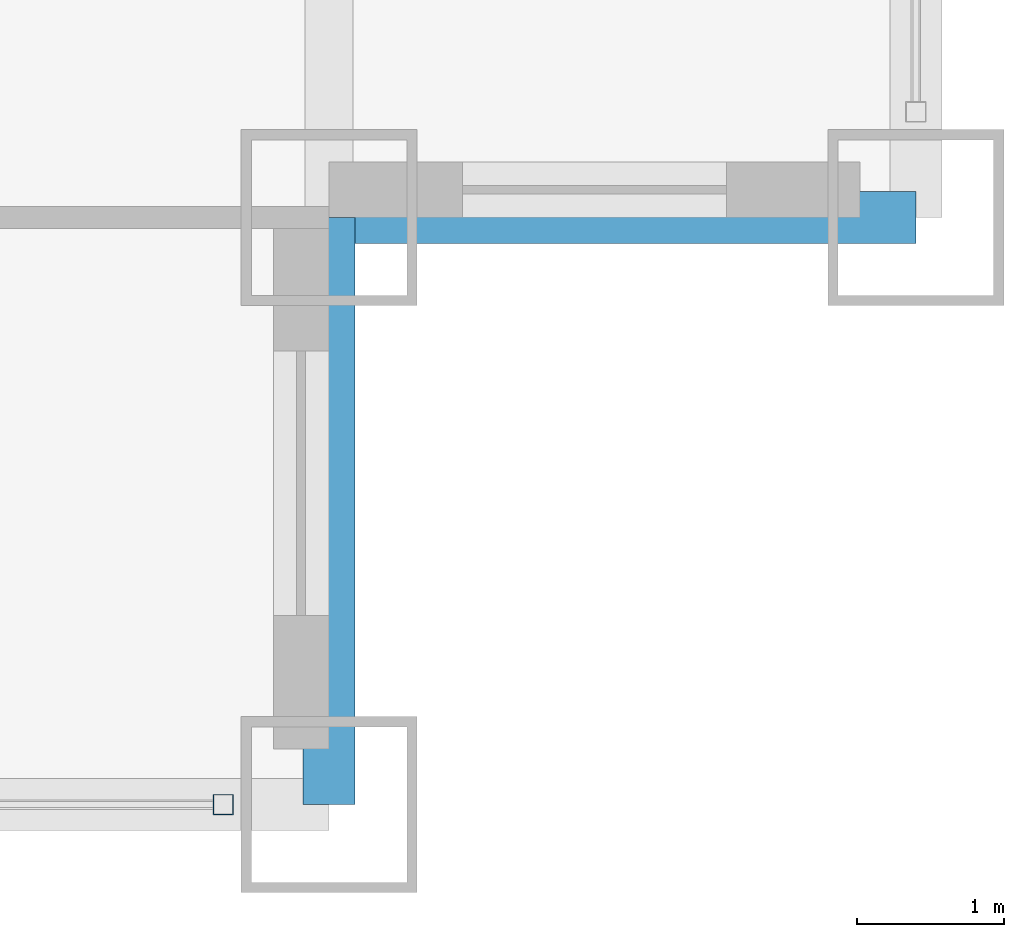
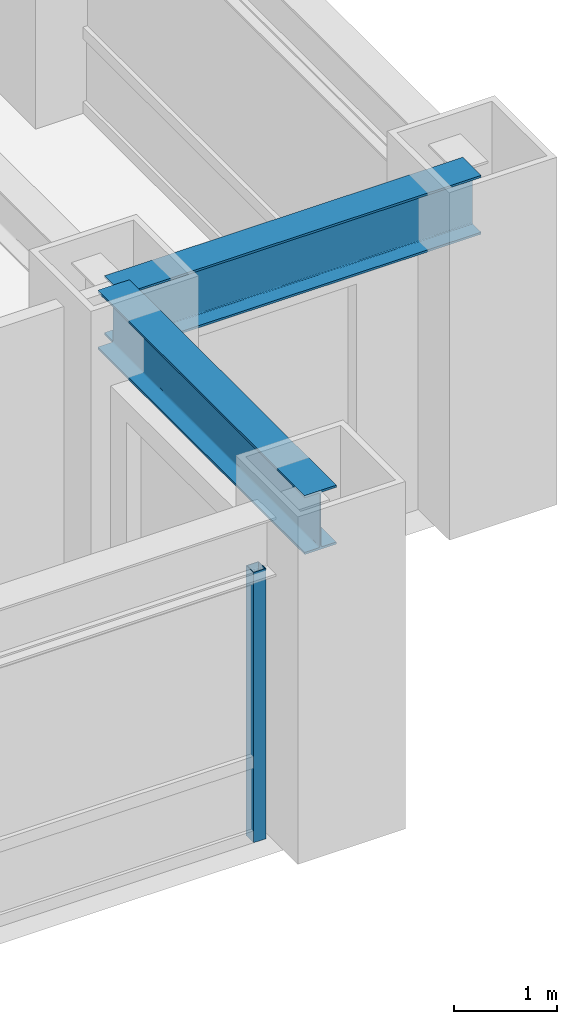
# One storey, part 6 of 28: 2 beams, 1 member, 1 element without a shape of its own.
"""IFC4 building model written with IfcOpenShell, lengths in metres."""

import ifcopenshell
import ifcopenshell.guid

model = None  # the IFC model being written
_history = None  # IfcOwnerHistory: only IFC2X3 demands one
_inside = {}  # id of a spatial element -> (the spatial element, [elements in it])
_under = {}  # id of a project, library or spatial element -> (it, [spatial elements below it])
_declared = {}  # id of a project -> (the project, [libraries it declares])
_typed = {}  # id of a type object -> (the type object, [elements of that type])
_made_of = {}  # id of a material, layer set ... -> (it, [elements and type objects made of it])


def new_model(schema):
    """Start an empty IFC model of exactly this schema.

    Asked for "IFC4X3", IfcOpenShell would pick the latest addendum, in which some entities
    have other attributes; the version numbers below select the first issue.
    IFC2X3 requires an IfcOwnerHistory on every rooted entity: one is made here for all.
    """
    global model, _history
    if schema == "IFC4X3":
        model = ifcopenshell.file(schema_version=(4, 3, 0, 0))
    else:
        model = ifcopenshell.file(schema=schema)
    _inside.clear()
    _under.clear()
    _declared.clear()
    _typed.clear()
    _made_of.clear()
    _history = None
    if model.schema == "IFC2X3":
        org = make("IfcOrganization", Name="unknown")
        user = make(
            "IfcPersonAndOrganization",
            ThePerson=make("IfcPerson", FamilyName="unknown"),
            TheOrganization=org,
        )
        app = make(
            "IfcApplication",
            ApplicationDeveloper=org,
            Version="unknown",
            ApplicationFullName="unknown",
            ApplicationIdentifier="unknown",
        )
        _history = make(
            "IfcOwnerHistory",
            OwningUser=user,
            OwningApplication=app,
            ChangeAction="ADDED",
            CreationDate=0,
        )
    return model


def make(cls, **values):
    """One entity of the class cls with the attributes given. An attribute that is None is left unset."""
    return model.create_entity(
        cls, **{name: value for name, value in values.items() if value is not None}
    )


def rooted(cls, **values):
    """An entity with a GlobalId (a new one), such as an element, a storey or a relation."""
    return make(cls, GlobalId=ifcopenshell.guid.new(), OwnerHistory=_history, **values)


def si_unit(unit_type, name, prefix=None):
    """IfcSIUnit, for example si_unit("LENGTHUNIT", "METRE", prefix="MILLI")."""
    return make("IfcSIUnit", UnitType=unit_type, Prefix=prefix, Name=name)


def assignment(units):
    """IfcUnitAssignment: the units of a project."""
    return None if units is None else make("IfcUnitAssignment", Units=units)


def point(xyz):
    """IfcCartesianPoint."""
    return None if xyz is None else make("IfcCartesianPoint", Coordinates=xyz)


def direction(xyz):
    """IfcDirection."""
    return None if xyz is None else make("IfcDirection", DirectionRatios=xyz)


def frame(location, z_axis=None, x_axis=None):
    """IfcAxis2Placement3D, a coordinate frame: its origin and axes. An axis left out is left unset."""
    return make(
        "IfcAxis2Placement3D",
        Location=point(location),
        Axis=direction(z_axis),
        RefDirection=direction(x_axis),
    )


def frame_2d(location, x_axis=None):
    """IfcAxis2Placement2D, a coordinate frame in the plane: its origin and x axis."""
    return make(
        "IfcAxis2Placement2D", Location=point(location), RefDirection=direction(x_axis)
    )


def origin():
    """The frame at (0, 0, 0) with its axes left unset."""
    return frame((0.0, 0.0, 0.0))


def origin_2d():
    """The frame at (0, 0) in the plane with its x axis left unset."""
    return frame_2d((0.0, 0.0))


def place(relative_to, where):
    """IfcLocalPlacement: puts the frame where relative to a parent placement (None: the world)."""
    return make(
        "IfcLocalPlacement", PlacementRelTo=relative_to, RelativePlacement=where
    )


def context(
    kind, dimensions, precision=None, world=None, true_north=None, identifier=None
):
    """IfcGeometricRepresentationContext, for example the 3D "Model" context."""
    return make(
        "IfcGeometricRepresentationContext",
        ContextIdentifier=identifier,
        ContextType=kind,
        CoordinateSpaceDimension=dimensions,
        Precision=precision,
        WorldCoordinateSystem=world,
        TrueNorth=true_north,
    )


def subcontext(parent, identifier, kind, view, scale=None):
    """IfcGeometricRepresentationSubContext, for example "Body" below "Model"."""
    return make(
        "IfcGeometricRepresentationSubContext",
        ContextIdentifier=identifier,
        ContextType=kind,
        ParentContext=parent,
        TargetScale=scale,
        TargetView=view,
    )


def project(units=None, contexts=None):
    """IfcProject with its units and contexts."""
    return rooted(
        "IfcProject",
        Name="project",
        RepresentationContexts=contexts,
        UnitsInContext=assignment(units),
    )


def spatial(cls, under=None, at=None, **own):
    """A site, building, storey or space (cls), placed at a placement, below another one or the project."""
    s = rooted(cls, ObjectPlacement=at, **own)
    if under is not None:
        _under.setdefault(under.id(), (under, []))[1].append(s)
    return s


def profile(cls, at=None, kind="AREA", **sizes):
    """A parametric profile (cls). Its sizes go by their IFC names, for example OverallWidth=200.0."""
    return make(cls, ProfileType=kind, Position=at, **sizes)


def hollow_rectangle(**sizes):
    """IfcRectangleHollowProfileDef."""
    return profile("IfcRectangleHollowProfileDef", **sizes)


def i_section(**sizes):
    """IfcIShapeProfileDef."""
    return profile("IfcIShapeProfileDef", **sizes)


def extrude(swept, where, along, depth):
    """IfcExtrudedAreaSolid: the profile swept, set in the frame where, extruded along a direction by depth."""
    return make(
        "IfcExtrudedAreaSolid",
        SweptArea=swept,
        Position=where,
        ExtrudedDirection=direction(along),
        Depth=depth,
    )


def shape(context_of_items, identifier, shape_type, items):
    """IfcShapeRepresentation: the items that make up one representation, for example the "Body"."""
    return make(
        "IfcShapeRepresentation",
        ContextOfItems=context_of_items,
        RepresentationIdentifier=identifier,
        RepresentationType=shape_type,
        Items=items,
    )


def source(mapping_origin, context_of_items, identifier, shape_type, items):
    """IfcRepresentationMap: a shape defined once, which mapped items show again and again."""
    return make(
        "IfcRepresentationMap",
        MappingOrigin=mapping_origin,
        MappedRepresentation=shape(context_of_items, identifier, shape_type, items),
    )


def transform(
    local_origin,
    x_axis=None,
    y_axis=None,
    z_axis=None,
    scale=None,
    scale2=None,
    scale3=None,
    uniform=True,
):
    """IfcCartesianTransformationOperator3D, or its non-uniform kind. x_axis, y_axis, z_axis: its Axis1, 2, 3."""
    if uniform:
        return make(
            "IfcCartesianTransformationOperator3D",
            Axis1=direction(x_axis),
            Axis2=direction(y_axis),
            LocalOrigin=point(local_origin),
            Scale=scale,
            Axis3=direction(z_axis),
        )
    return make(
        "IfcCartesianTransformationOperator3DnonUniform",
        Axis1=direction(x_axis),
        Axis2=direction(y_axis),
        LocalOrigin=point(local_origin),
        Scale=scale,
        Axis3=direction(z_axis),
        Scale2=scale2,
        Scale3=scale3,
    )


def mapped(mapping_source, mapping_target):
    """IfcMappedItem: shows the shape of a source again, moved by a transform."""
    return make(
        "IfcMappedItem", MappingSource=mapping_source, MappingTarget=mapping_target
    )


def material(Name=None, Category=None):
    """IfcMaterial."""
    return make("IfcMaterial", Name=Name, Category=Category)


def material_profile(
    of_material, cross_section, Name=None, Category=None, Priority=None
):
    """IfcMaterialProfile: a cross section and its material."""
    return make(
        "IfcMaterialProfile",
        Name=Name,
        Material=of_material,
        Profile=cross_section,
        Priority=Priority,
        Category=Category,
    )


def profile_set(profiles, Name=None, composite=None):
    """IfcMaterialProfileSet."""
    return make(
        "IfcMaterialProfileSet",
        Name=Name,
        MaterialProfiles=profiles,
        CompositeProfile=composite,
    )


def made_of(thing, what):
    """Note that an element or type object is made of a material, layer set ...; save() writes the relation."""
    if what is not None:
        _made_of.setdefault(what.id(), (what, []))[1].append(thing)
    return thing


def type_object(cls, material=None, **own):
    """A type object (cls), such as IfcWallType, which elements share."""
    return made_of(rooted(cls, **own), material)


def element(
    cls,
    number,
    at=None,
    inside=None,
    cuts=None,
    type_object=None,
    material=None,
    context=None,
    identifier="Body",
    shape_type=None,
    held_by="IfcProductDefinitionShape",
    body=None,
    shapes=None,
    **own,
):
    """One element of the class cls, such as IfcWall. Its Tag is "e" and its number.

    at: its placement. inside: the storey or other place that contains it. cuts: it is an
    opening in that element (IfcRelVoidsElement). A single representation is given by context,
    identifier, shape_type and body (its items); several are given by shapes. held_by: the class
    of the entity that holds the representations. save() writes the other relations.
    """
    e = rooted(cls, Tag="e%d" % number, ObjectPlacement=at, **own)
    if body is not None:
        shapes = [shape(context, identifier, shape_type, body)]
    if shapes is not None:
        e.Representation = make(held_by, Representations=shapes)
    if inside is not None:
        _inside.setdefault(inside.id(), (inside, []))[1].append(e)
    if cuts is not None:
        rooted(
            "IfcRelVoidsElement", RelatingBuildingElement=cuts, RelatedOpeningElement=e
        )
    if type_object is not None:
        _typed.setdefault(type_object.id(), (type_object, []))[1].append(e)
    return made_of(e, material)


def aggregate(whole, parts):
    """IfcRelAggregates: a whole, such as a stair, and the parts it consists of."""
    return rooted("IfcRelAggregates", RelatingObject=whole, RelatedObjects=parts)


def save(model, path):
    """Write the relations noted so far, then the file.

    IfcRelAggregates (storeys below a building ...), IfcRelContainedInSpatialStructure (elements
    in a storey), IfcRelDefinesByType, IfcRelAssociatesMaterial and IfcRelDeclares: one each for
    every whole, place, type object, material and project.
    """
    for whole, parts in _under.values():
        aggregate(whole, parts)
    for where, things in _inside.values():
        rooted(
            "IfcRelContainedInSpatialStructure",
            RelatedElements=things,
            RelatingStructure=where,
        )
    for kind, things in _typed.values():
        rooted("IfcRelDefinesByType", RelatedObjects=things, RelatingType=kind)
    for what, things in _made_of.values():
        rooted("IfcRelAssociatesMaterial", RelatedObjects=things, RelatingMaterial=what)
    for by, libraries in _declared.values():
        rooted("IfcRelDeclares", RelatingContext=by, RelatedDefinitions=libraries)
    model.write(path)


model = new_model("IFC4")

# Units and contexts
model_context = context("Model", 3, precision=1e-05, world=origin(), true_north=direction((0.0, 1.0)))
body_context = subcontext(model_context, "Body", "Model", "MODEL_VIEW")
ifc_project = project(units=[si_unit("LENGTHUNIT", "METRE"), si_unit("AREAUNIT", "SQUARE_METRE"), si_unit("VOLUMEUNIT", "CUBIC_METRE"), si_unit("PLANEANGLEUNIT", "RADIAN"), si_unit("MASSUNIT", "GRAM", prefix="KILO")], contexts=[model_context])

# Site, building, storey
site_placement = place(None, origin())
site = spatial("IfcSite", under=ifc_project, at=site_placement, CompositionType="ELEMENT")
building_placement = place(site_placement, origin())
building = spatial("IfcBuilding", under=site, at=building_placement, Name="Khorayat Bourse Tower", CompositionType="ELEMENT")
storey_placement = place(building_placement, frame((0.0, 0.0, 116.0)))
storey = spatial("IfcBuildingStorey", under=building, at=storey_placement, Name="L26", CompositionType="ELEMENT", Elevation=116.0)

# Beams
ifc_material_1 = material(Name="Steel ASTM A992 Grade 50", Category="steel")
ifc_material_profile_1 = material_profile(ifc_material_1, i_section(OverallWidth=0.35498046875, OverallDepth=0.695068359375, WebThickness=0.015380859375, FlangeThickness=0.02490234375, FilletRadius=0.01806640625, at=origin_2d()), Name="W690X217")
ifc_profile_set_1 = profile_set([ifc_material_profile_1], Name="Steel ASTM A992 Grade 50")
beam_type = type_object("IfcBeamType", Name="BM-SPAN-690", PredefinedType="SPANDREL", material=ifc_profile_set_1)
shared_shape_1 = source(origin(), body_context, "Body", "SweptSolid", [
    extrude(i_section(OverallWidth=0.35498046875, OverallDepth=0.695068359375, WebThickness=0.015380859375, FlangeThickness=0.02490234375, FilletRadius=0.01806640625, at=origin_2d()), origin(), (0.0, 0.0, 1.0), 4.0),
])
for number, where, z_axis, x_axis, name in (
    (1, (28.0, -32.0, 3.492431640625), (0.0, 1.0, 0.0), (-1.0, 0.0, 0.0), "L26 BM-SPAN-690 BM-L26-SPN-032"),
    (2, (28.0, -28.0, 3.492431640625), (1.0, 0.0, 0.0), (0.0, 1.0, 0.0), "L26 BM-SPAN-690 BM-L26-SPN-033"),
):
    element("IfcBeam", number, at=place(storey_placement, frame(where, z_axis=z_axis, x_axis=x_axis)), inside=storey, type_object=beam_type, Name=name, PredefinedType="SPANDREL", context=body_context, shape_type="MappedRepresentation", body=[
        mapped(shared_shape_1, transform((0.0, 0.0, 0.0), scale=1.0)),
    ])

# Curtain wall, member
ifc_material_2 = material(Name="Aluminium EN AW-6063 T6", Category="aluminium")
curtain_wall_type = type_object("IfcCurtainWallType", Name="CW-SYS-02", PredefinedType="NOTDEFINED", material=ifc_material_2)
curtain_wall_placement = place(storey_placement, origin())
curtain_wall = element("IfcCurtainWall", 3, at=curtain_wall_placement, inside=storey, type_object=curtain_wall_type, Name="L26 Curtain Wall CW-L26-S1", PredefinedType="NOTDEFINED")
ifc_material_profile_2 = material_profile(ifc_material_2, hollow_rectangle(XDim=0.139892578125, YDim=0.139892578125, WallThickness=0.006103515625, at=origin_2d()), Name="ALU 140x140x6")
ifc_profile_set_2 = profile_set([ifc_material_profile_2], Name="Aluminium EN AW-6063 T6")
member_type = type_object("IfcMemberType", Name="CWM-VERT-140", PredefinedType="MULLION", material=ifc_profile_set_2)
shared_shape_2 = source(origin(), body_context, "Body", "SweptSolid", [
    extrude(hollow_rectangle(XDim=0.139892578125, YDim=0.139892578125, WallThickness=0.006103515625, at=origin_2d()), origin(), (0.0, 0.0, 1.0), 3.18994140625),
])
member_placement = place(storey_placement, frame((27.280029296875, -32.0, 0.0), z_axis=(0.0, 0.0, 1.0), x_axis=(0.0, 1.0, 0.0)))
member = element("IfcMember", 4, at=member_placement, type_object=member_type, Name="CW-L26-S1 Vertical Mullion 3", PredefinedType="MULLION", context=body_context, shape_type="MappedRepresentation", body=[
    mapped(shared_shape_2, transform((0.0, 0.0, 0.0), scale=1.0)),
])
aggregate(curtain_wall, [member])

save(model, "model.ifc")
